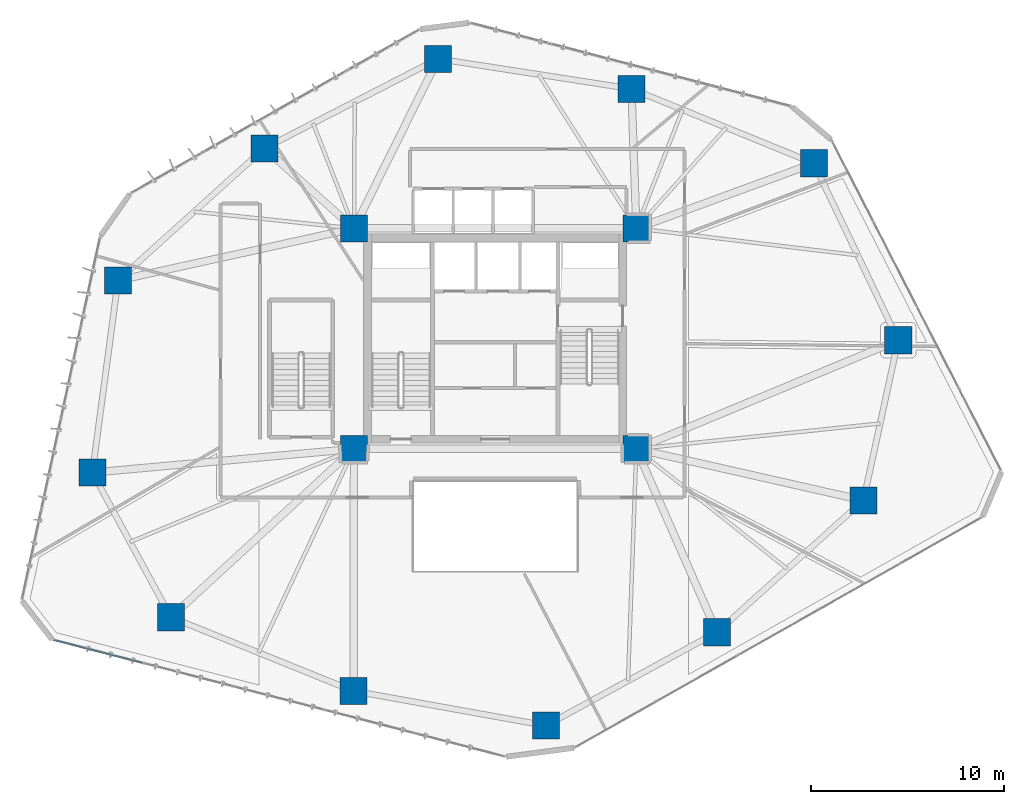
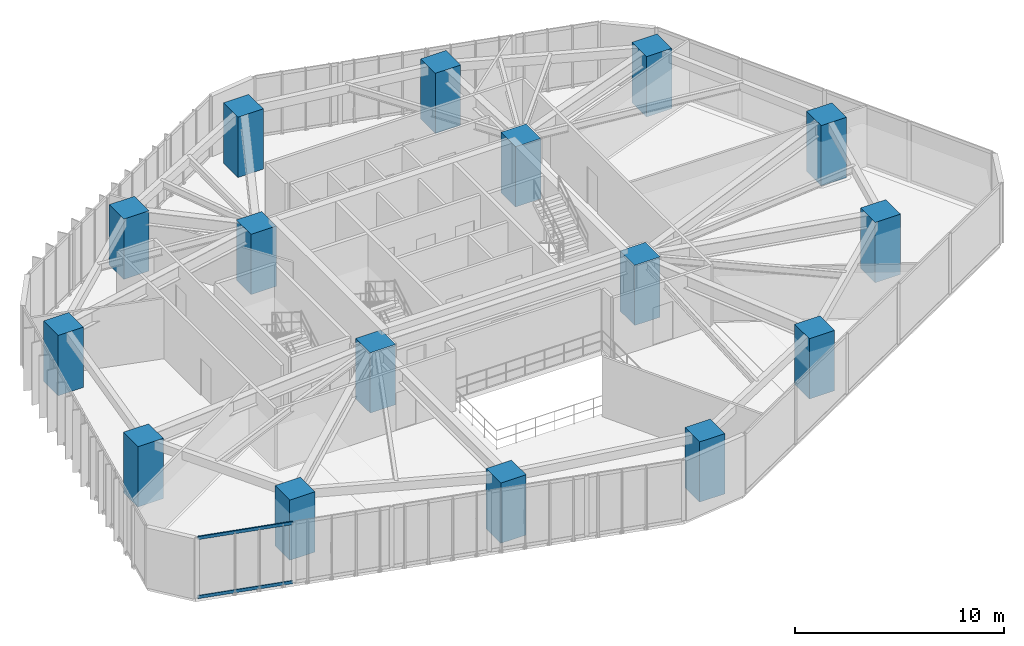
# One storey, part 1 of 23: 16 columns, 2 members, 1 element without a shape of its own.
"""IFC4 building model written with IfcOpenShell, lengths in metres."""

from ifc_helpers import new_model, si_unit, direction, frame, origin, origin_2d, place, context, subcontext, project, spatial, rectangle, hollow_rectangle, extrude, source, transform, mapped, material, layer, layer_set, material_profile, profile_set, type_object, type_shapes, element, aggregate, save


model = new_model("IFC4")

# Units and contexts
model_context = context("Model", 3, precision=1e-05, world=origin(), true_north=direction((0.0, 1.0)))
body_context = subcontext(model_context, "Body", "Model", "MODEL_VIEW")
ifc_project = project(units=[si_unit("LENGTHUNIT", "METRE"), si_unit("AREAUNIT", "SQUARE_METRE"), si_unit("VOLUMEUNIT", "CUBIC_METRE"), si_unit("PLANEANGLEUNIT", "RADIAN"), si_unit("MASSUNIT", "GRAM", prefix="KILO")], contexts=[model_context])

# Site, building, storey
site_placement = place(None, origin())
site = spatial("IfcSite", under=ifc_project, at=site_placement, CompositionType="ELEMENT")
building_placement = place(site_placement, origin())
building = spatial("IfcBuilding", under=site, at=building_placement, Name="Talar Marvaseh", CompositionType="ELEMENT")
storey_placement = place(building_placement, frame((0.0, 0.0, 46.800048828125)))
storey = spatial("IfcBuildingStorey", under=building, at=storey_placement, Name="L11", CompositionType="ELEMENT", Elevation=46.800048828125)

# Columns
ifc_material_1 = material(Name="Concrete C70/85", Category="concrete")
ifc_material_profile_1 = material_profile(ifc_material_1, rectangle(XDim=1.39990234375, YDim=1.39990234375, at=origin_2d()), Name="RC1400x1400")
ifc_profile_set_1 = profile_set([ifc_material_profile_1], Name="Concrete C70/85")
column_type = type_object("IfcColumnType", Name="Zone 1 Tube Column RC1400x1400", PredefinedType="COLUMN", material=ifc_profile_set_1)
for number, where, z_axis, x_axis, name in (
    (1, (42.47705078125, 40.26904296875, 0.0), (0.0, 0.0, 1.0), (1.0, 0.0, 0.0), "L11 Zone 1 Tube Column RC1400x1400"),
    (2, (46.841064453125, 31.118896484375, 0.0), (0.0, 0.0, 1.0), (1.0, 0.0, 0.0), "L11 Zone 1 Tube Column RC1400x1400"),
    (3, (45.0439453125, 22.840087890625, 0.0), (0.0, 0.0, 1.0), (1.0, 0.0, 0.0), "L11 Zone 1 Tube Column RC1400x1400"),
    (4, (37.468017578125, 16.02099609375, 0.0), (0.0, 0.0, 1.0), (1.0, 0.0, 0.0), "L11 Zone 1 Tube Column RC1400x1400"),
    (5, (28.625, 11.195068359375, 0.0), (0.0, 0.0, 1.0), (1.0, 0.0, 0.0), "L11 Zone 1 Tube Column RC1400x1400"),
    (6, (18.68310546875, 12.97900390625, 0.0), (0.0, 0.0, 1.0), (1.0, 0.0, 0.0), "L11 Zone 1 Tube Column RC1400x1400"),
    (7, (9.23193359375, 16.7958984375, 0.0), (0.0, 0.0, 1.0), (1.0, 0.0, 0.0), "L11 Zone 1 Tube Column RC1400x1400"),
    (8, (5.175048828125, 24.27587890625, 0.0), (0.0, 0.0, 1.0), (1.0, 0.0, 0.0), "L11 Zone 1 Tube Column RC1400x1400"),
    (9, (6.501953125, 34.214111328125, 0.0), (0.0, 0.0, 1.0), (1.0, 0.0, 0.0), "L11 Zone 1 Tube Column RC1400x1400"),
    (10, (14.069091796875, 41.04296875, 0.0), (0.0, 0.0, 1.0), (1.0, 0.0, 0.0), "L11 Zone 1 Tube Column RC1400x1400"),
    (11, (23.047119140625, 45.6669921875, 0.0), (0.0, 0.0, 1.0), (1.0, 0.0, 0.0), "L11 Zone 1 Tube Column RC1400x1400"),
    (12, (33.0458984375, 44.117919921875, 0.0), (0.0, 0.0, 1.0), (1.0, 0.0, 0.0), "L11 Zone 1 Tube Column RC1400x1400"),
    (13, (18.699951171875, 25.5, 0.0), (0.0, 0.0, 1.0), (1.0, 0.0, 0.0), "L11 Zone 1 Tube Column RC1400x1400"),
    (14, (33.300048828125, 25.5, 0.0), (0.0, 0.0, 1.0), (1.0, 0.0, 0.0), "L11 Zone 1 Tube Column RC1400x1400"),
    (15, (33.300048828125, 36.89990234375, 0.0), (0.0, 0.0, 1.0), (1.0, 0.0, 0.0), "L11 Zone 1 Tube Column RC1400x1400"),
    (16, (18.699951171875, 36.89990234375, 0.0), (0.0, 0.0, 1.0), (1.0, 0.0, 0.0), "L11 Zone 1 Tube Column RC1400x1400"),
):
    element("IfcColumn", number, at=place(storey_placement, frame(where, z_axis=z_axis, x_axis=x_axis)), inside=storey, type_object=column_type, Name=name, PredefinedType="COLUMN", context=body_context, shape_type="SweptSolid", body=[
        extrude(rectangle(XDim=1.39990234375, YDim=1.39990234375, at=origin_2d()), origin(), (0.0, 0.0, 1.0), 3.52001953125),
    ])

# Curtain wall, members
ifc_material_2 = material(Name="Architectural Aluminium", Category="aluminium")
ifc_layer = layer(ifc_material_2, 0.219970703125)
ifc_layer_set = layer_set([ifc_layer], Name="Architectural Aluminium")
curtain_wall_type = type_object("IfcCurtainWallType", Name="Unitised Low-E Museum Curtain Wall Z1", PredefinedType="NOTDEFINED", material=ifc_layer_set)
curtain_wall_placement = place(storey_placement, origin())
curtain_wall = element("IfcCurtainWall", 17, at=curtain_wall_placement, inside=storey, type_object=curtain_wall_type, Name="L11 Unitised Low-E Museum Curtain Wall Z1", PredefinedType="NOTDEFINED")
ifc_material_profile_2 = material_profile(ifc_material_2, hollow_rectangle(XDim=0.074951171875, YDim=0.179931640625, WallThickness=0.0048828125, at=origin_2d()), Name="RHS180x75x5")
ifc_profile_set_2 = profile_set([ifc_material_profile_2], Name="Architectural Aluminium")
member_type = type_object("IfcMemberType", Name="Unitised Curtain Wall Transom RHS180x75x5", PredefinedType="USERDEFINED", material=ifc_profile_set_2)
shared_shape = source(origin(), body_context, "Body", "SweptSolid", [
    extrude(hollow_rectangle(XDim=0.074951171875, YDim=0.179931640625, WallThickness=0.0048828125, at=origin_2d()), origin(), (0.0, 0.0, 1.0), 4.7255859375),
])
type_shapes(member_type, [shared_shape])
member_1_placement = place(storey_placement, frame((7.750244140625, 14.43701171875, 0.037353515625), z_axis=(-0.968191377549, 0.250210823985, 0.0), x_axis=(-0.250210823985, -0.968191377549, 0.0)))
member_1 = element("IfcMember", 18, at=member_1_placement, type_object=member_type, Name="CW-Z1 transom 5.1", ObjectType="TRANSOM", PredefinedType="USERDEFINED", context=body_context, shape_type="MappedRepresentation", body=[
    mapped(shared_shape, transform((0.0, 0.0, 0.0), x_axis=(1.0, 0.0, 0.0), y_axis=(0.0, 1.0, 0.0), z_axis=(0.0, 0.0, 1.0), scale=1.0)),
])
member_2_placement = place(storey_placement, frame((7.750244140625, 14.43701171875, 3.482421875), z_axis=(-0.968191377549, 0.250210823985, 0.0), x_axis=(-0.250210823985, -0.968191377549, 0.0)))
member_2 = element("IfcMember", 19, at=member_2_placement, type_object=member_type, Name="CW-Z1 transom 5.2", ObjectType="TRANSOM", PredefinedType="USERDEFINED", context=body_context, shape_type="MappedRepresentation", body=[
    mapped(shared_shape, transform((0.0, 0.0, 0.0), x_axis=(1.0, 0.0, 0.0), y_axis=(0.0, 1.0, 0.0), z_axis=(0.0, 0.0, 1.0), scale=1.0)),
])
aggregate(curtain_wall, [member_1, member_2])

save(model, "model.ifc")
